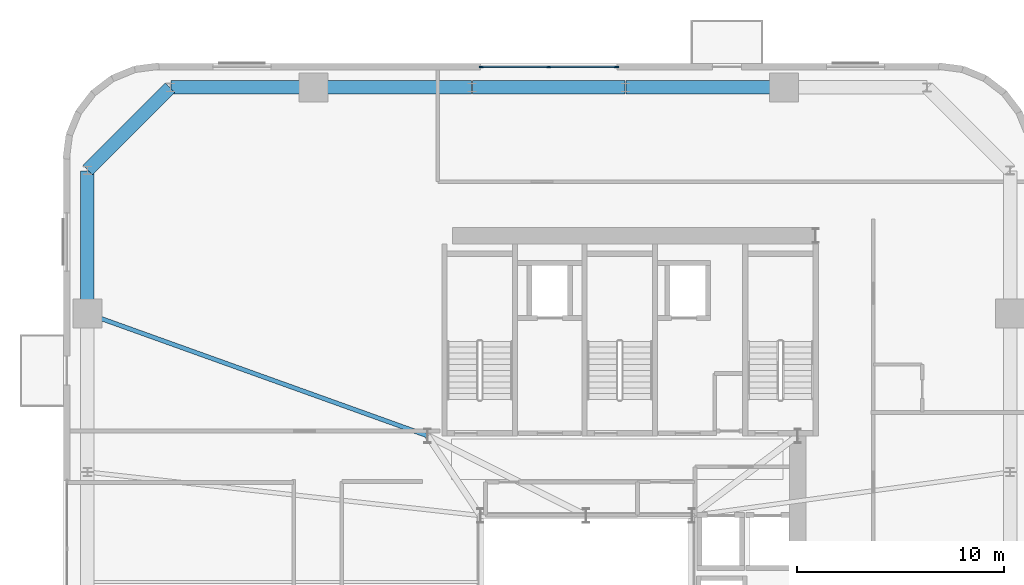
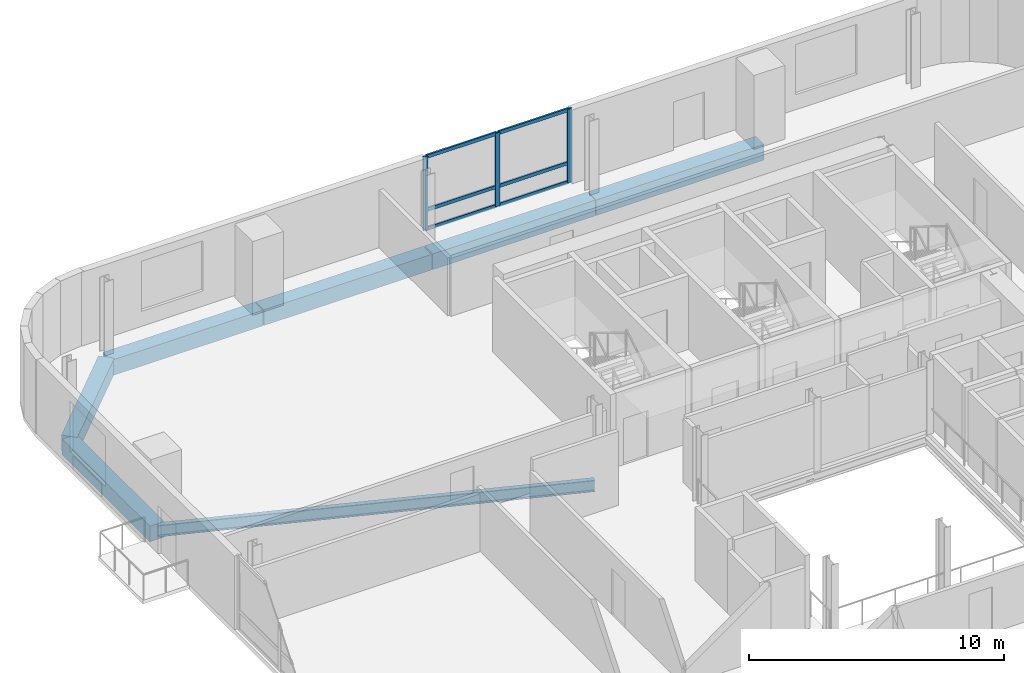
# One storey, part 6 of 16: 9 members, 7 beams, 1 element without a shape of its own.
"""IFC4 building model written with IfcOpenShell, lengths in metres."""

from ifc_helpers import new_model, si_unit, direction, frame, origin, origin_2d, place, context, subcontext, project, spatial, rectangle, i_section, extrude, source, transform, mapped, material, material_profile, profile_set, type_object, element, aggregate, save


model = new_model("IFC4")

# Units and contexts
model_context = context("Model", 3, precision=1e-05, world=origin(), true_north=direction((0.0, 1.0)))
body_context = subcontext(model_context, "Body", "Model", "MODEL_VIEW")
ifc_project = project(units=[si_unit("LENGTHUNIT", "METRE"), si_unit("AREAUNIT", "SQUARE_METRE"), si_unit("VOLUMEUNIT", "CUBIC_METRE"), si_unit("PLANEANGLEUNIT", "RADIAN"), si_unit("MASSUNIT", "GRAM", prefix="KILO")], contexts=[model_context])

# Site, building, storey
site_placement = place(None, origin())
site = spatial("IfcSite", under=ifc_project, at=site_placement, CompositionType="ELEMENT")
building_placement = place(site_placement, origin())
building = spatial("IfcBuilding", under=site, at=building_placement, Name="Vardaveli Station Tower", CompositionType="ELEMENT")
storey_placement = place(building_placement, frame((0.0, 0.0, 188.550048828125)))
storey = spatial("IfcBuildingStorey", under=building, at=storey_placement, Name="L48", CompositionType="ELEMENT", Elevation=188.550048828125)

# Beams
ifc_material_1 = material(Name="Precast concrete C45/55", Category="concrete")
ifc_material_profile_1 = material_profile(ifc_material_1, rectangle(XDim=0.64990234375, YDim=0.75, at=origin_2d()), Name="LPB 650x750")
ifc_profile_set_1 = profile_set([ifc_material_profile_1], Name="Precast concrete C45/55")
beam_type_1 = type_object("IfcBeamType", Name="BM-LPB-750", PredefinedType="BEAM", material=ifc_profile_set_1)
shared_shape_1 = source(origin(), body_context, "Body", "SweptSolid", [
    extrude(rectangle(XDim=0.64990234375, YDim=0.75, at=origin_2d()), origin(), (0.0, 0.0, 1.0), 7.60009765625),
])
for number, where, z_axis, x_axis, name in (
    (1, (45.820068359375, 47.449951171875, -0.594970703125), (-1.0, 0.0, 0.0), (0.0, -1.0, 0.0), "RBM-L48-13"),
    (2, (30.780029296875, 47.449951171875, -0.594970703125), (-1.0, 0.0, 0.0), (0.0, -1.0, 0.0), "RBM-L48-15"),
):
    element("IfcBeam", number, at=place(storey_placement, frame(where, z_axis=z_axis, x_axis=x_axis)), inside=storey, type_object=beam_type_1, Name=name, PredefinedType="BEAM", context=body_context, shape_type="MappedRepresentation", body=[
        mapped(shared_shape_1, transform((0.0, 0.0, 0.0), scale=1.0)),
    ])
shared_shape_2 = source(origin(), body_context, "Body", "SweptSolid", [
    extrude(rectangle(XDim=0.64990234375, YDim=0.75, at=origin_2d()), origin(), (0.0, 0.0, 1.0), 7.35986328125),
])
beam_1_placement = place(storey_placement, frame((38.179931640625, 47.449951171875, -0.594970703125), z_axis=(-1.0, 0.0, 0.0), x_axis=(0.0, -1.0, 0.0)))
element("IfcBeam", 3, at=beam_1_placement, inside=storey, type_object=beam_type_1, Name="RBM-L48-14", PredefinedType="BEAM", context=body_context, shape_type="MappedRepresentation", body=[
    mapped(shared_shape_2, transform((0.0, 0.0, 0.0), scale=1.0)),
])
shared_shape_3 = source(origin(), body_context, "Body", "SweptSolid", [
    extrude(rectangle(XDim=0.64990234375, YDim=0.75, at=origin_2d()), origin(), (0.0, 0.0, 1.0), 6.869873046875),
])
for number, where, z_axis, x_axis, name in (
    (4, (23.139892578125, 47.449951171875, -0.594970703125), (-1.0, 0.0, 0.0), (0.0, -1.0, 0.0), "RBM-L48-16"),
    (5, (12.25, 43.429931640625, -0.594970703125), (0.0, -1.0, 0.0), (1.0, 0.0, 0.0), "RBM-L48-18"),
):
    element("IfcBeam", number, at=place(storey_placement, frame(where, z_axis=z_axis, x_axis=x_axis)), inside=storey, type_object=beam_type_1, Name=name, PredefinedType="BEAM", context=body_context, shape_type="MappedRepresentation", body=[
        mapped(shared_shape_3, transform((0.0, 0.0, 0.0), scale=1.0)),
    ])
shared_shape_4 = source(origin(), body_context, "Body", "SweptSolid", [
    extrude(rectangle(XDim=0.64990234375, YDim=0.75, at=origin_2d()), origin(), (0.0, 0.0, 1.0), 5.61669921875),
])
beam_2_placement = place(storey_placement, frame((16.23583984375, 47.435791015625, -0.594970703125), z_axis=(-0.707106781187, -0.707106781187, 0.0), x_axis=(0.707106781187, -0.707106781187, 0.0)))
element("IfcBeam", 6, at=beam_2_placement, inside=storey, type_object=beam_type_1, Name="RBM-L48-17", PredefinedType="BEAM", context=body_context, shape_type="MappedRepresentation", body=[
    mapped(shared_shape_4, transform((0.0, 0.0, 0.0), scale=1.0)),
])
ifc_material_2 = material(Name="Structural steel S355J2", Category="steel")
ifc_material_profile_2 = material_profile(ifc_material_2, i_section(OverallWidth=0.2099609375, OverallDepth=0.550048828125, WebThickness=0.010986328125, FlangeThickness=0.01708984375, FilletRadius=0.02392578125, at=origin_2d()), Name="IPE 550")
ifc_profile_set_2 = profile_set([ifc_material_profile_2], Name="Structural steel S355J2")
beam_type_2 = type_object("IfcBeamType", Name="BM-IPE550", PredefinedType="BEAM", material=ifc_profile_set_2)
shared_shape_5 = source(origin(), body_context, "Body", "SweptSolid", [
    extrude(i_section(OverallWidth=0.2099609375, OverallDepth=0.550048828125, WebThickness=0.010986328125, FlangeThickness=0.01708984375, FilletRadius=0.02392578125, at=origin_2d()), origin(), (0.0, 0.0, 1.0), 17.385498046875),
])
beam_3_placement = place(storey_placement, frame((12.268798828125, 36.533203125, -0.4951171875), z_axis=(0.941143134401, -0.338008284766, 0.0), x_axis=(0.338008284766, 0.941143134401, 0.0)))
element("IfcBeam", 7, at=beam_3_placement, inside=storey, type_object=beam_type_2, Name="GBM-L48-12", PredefinedType="BEAM", context=body_context, shape_type="MappedRepresentation", body=[
    mapped(shared_shape_5, transform((0.0, 0.0, 0.0), scale=1.0)),
])

# Curtain wall, members
ifc_material_3 = material(Name="Travertine stone and solar-control glass", Category="masonry")
curtain_wall_type = type_object("IfcCurtainWallType", Name="CW-SYS-5", PredefinedType="NOTDEFINED", material=ifc_material_3)
curtain_wall_placement = place(storey_placement, origin())
curtain_wall = element("IfcCurtainWall", 8, at=curtain_wall_placement, inside=storey, type_object=curtain_wall_type, Name="CW-L48-N", PredefinedType="NOTDEFINED")
ifc_material_4 = material(Name="Anodised aluminium alloy 6063-T6", Category="aluminium")
ifc_material_profile_3 = material_profile(ifc_material_4, rectangle(XDim=0.080078125, YDim=0.1650390625, at=origin_2d()), Name="CWT 80x165")
ifc_profile_set_3 = profile_set([ifc_material_profile_3], Name="Anodised aluminium alloy 6063-T6")
member_type_1 = type_object("IfcMemberType", Name="CW-SYS-5-TRAN", PredefinedType="NOTDEFINED", material=ifc_profile_set_3)
shared_shape_6 = source(origin(), body_context, "Body", "SweptSolid", [
    extrude(rectangle(XDim=0.080078125, YDim=0.1650390625, at=origin_2d()), origin(), (0.0, 0.0, 1.0), 3.179931640625),
])
member_1_placement = place(storey_placement, frame((37.719970703125, 48.43994140625, 0.0400390625), z_axis=(-1.0, 0.0, 0.0), x_axis=(0.0, -1.0, 0.0)))
member_1 = element("IfcMember", 9, at=member_1_placement, type_object=member_type_1, Name="CW-5 transom 1.1", ObjectType="TRANSOM", PredefinedType="USERDEFINED", context=body_context, shape_type="MappedRepresentation", body=[
    mapped(shared_shape_6, transform((0.0, 0.0, 0.0), scale=1.0)),
])
member_2_placement = place(storey_placement, frame((37.719970703125, 48.43994140625, 0.949951171875), z_axis=(-1.0, 0.0, 0.0), x_axis=(0.0, -1.0, 0.0)))
member_2 = element("IfcMember", 10, at=member_2_placement, type_object=member_type_1, Name="CW-5 transom 1.2", ObjectType="TRANSOM", PredefinedType="USERDEFINED", context=body_context, shape_type="MappedRepresentation", body=[
    mapped(shared_shape_6, transform((0.0, 0.0, 0.0), scale=1.0)),
])
member_3_placement = place(storey_placement, frame((37.719970703125, 48.43994140625, 3.489990234375), z_axis=(-1.0, 0.0, 0.0), x_axis=(0.0, -1.0, 0.0)))
member_3 = element("IfcMember", 11, at=member_3_placement, type_object=member_type_1, Name="CW-5 transom 1.3", ObjectType="TRANSOM", PredefinedType="USERDEFINED", context=body_context, shape_type="MappedRepresentation", body=[
    mapped(shared_shape_6, transform((0.0, 0.0, 0.0), scale=1.0)),
])
member_4_placement = place(storey_placement, frame((34.4599609375, 48.43994140625, 0.0400390625), z_axis=(-1.0, 0.0, 0.0), x_axis=(0.0, -1.0, 0.0)))
member_4 = element("IfcMember", 12, at=member_4_placement, type_object=member_type_1, Name="CW-5 transom 2.1", ObjectType="TRANSOM", PredefinedType="USERDEFINED", context=body_context, shape_type="MappedRepresentation", body=[
    mapped(shared_shape_6, transform((0.0, 0.0, 0.0), scale=1.0)),
])
member_5_placement = place(storey_placement, frame((34.4599609375, 48.43994140625, 0.949951171875), z_axis=(-1.0, 0.0, 0.0), x_axis=(0.0, -1.0, 0.0)))
member_5 = element("IfcMember", 13, at=member_5_placement, type_object=member_type_1, Name="CW-5 transom 2.2", ObjectType="TRANSOM", PredefinedType="USERDEFINED", context=body_context, shape_type="MappedRepresentation", body=[
    mapped(shared_shape_6, transform((0.0, 0.0, 0.0), scale=1.0)),
])
member_6_placement = place(storey_placement, frame((34.4599609375, 48.43994140625, 3.489990234375), z_axis=(-1.0, 0.0, 0.0), x_axis=(0.0, -1.0, 0.0)))
member_6 = element("IfcMember", 14, at=member_6_placement, type_object=member_type_1, Name="CW-5 transom 2.3", ObjectType="TRANSOM", PredefinedType="USERDEFINED", context=body_context, shape_type="MappedRepresentation", body=[
    mapped(shared_shape_6, transform((0.0, 0.0, 0.0), scale=1.0)),
])
ifc_material_profile_4 = material_profile(ifc_material_4, rectangle(XDim=0.080078125, YDim=0.205078125, at=origin_2d()), Name="CWM 80x205")
ifc_profile_set_4 = profile_set([ifc_material_profile_4], Name="Anodised aluminium alloy 6063-T6")
member_type_2 = type_object("IfcMemberType", Name="CW-SYS-5-MULL", PredefinedType="MULLION", material=ifc_profile_set_4)
shared_shape_7 = source(origin(), body_context, "Body", "SweptSolid", [
    extrude(rectangle(XDim=0.080078125, YDim=0.205078125, at=origin_2d()), origin(), (0.0, 0.0, 1.0), 3.530029296875),
])
member_7_placement = place(storey_placement, frame((37.760009765625, 48.43994140625, 0.0), z_axis=(0.0, 0.0, 1.0), x_axis=(0.0, -1.0, 0.0)))
member_7 = element("IfcMember", 15, at=member_7_placement, type_object=member_type_2, Name="CW-5 mullion 1", PredefinedType="MULLION", context=body_context, shape_type="MappedRepresentation", body=[
    mapped(shared_shape_7, transform((0.0, 0.0, 0.0), scale=1.0)),
])
member_8_placement = place(storey_placement, frame((34.5, 48.43994140625, 0.0), z_axis=(0.0, 0.0, 1.0), x_axis=(0.0, -1.0, 0.0)))
member_8 = element("IfcMember", 16, at=member_8_placement, type_object=member_type_2, Name="CW-5 mullion 2", PredefinedType="MULLION", context=body_context, shape_type="MappedRepresentation", body=[
    mapped(shared_shape_7, transform((0.0, 0.0, 0.0), scale=1.0)),
])
member_9_placement = place(storey_placement, frame((31.239990234375, 48.43994140625, 0.0), z_axis=(0.0, 0.0, 1.0), x_axis=(0.0, -1.0, 0.0)))
member_9 = element("IfcMember", 17, at=member_9_placement, type_object=member_type_2, Name="CW-5 mullion 3", PredefinedType="MULLION", context=body_context, shape_type="MappedRepresentation", body=[
    mapped(shared_shape_7, transform((0.0, 0.0, 0.0), scale=1.0)),
])
aggregate(curtain_wall, [member_7, member_8, member_9, member_1, member_2, member_3, member_4, member_5, member_6])

save(model, "model.ifc")
